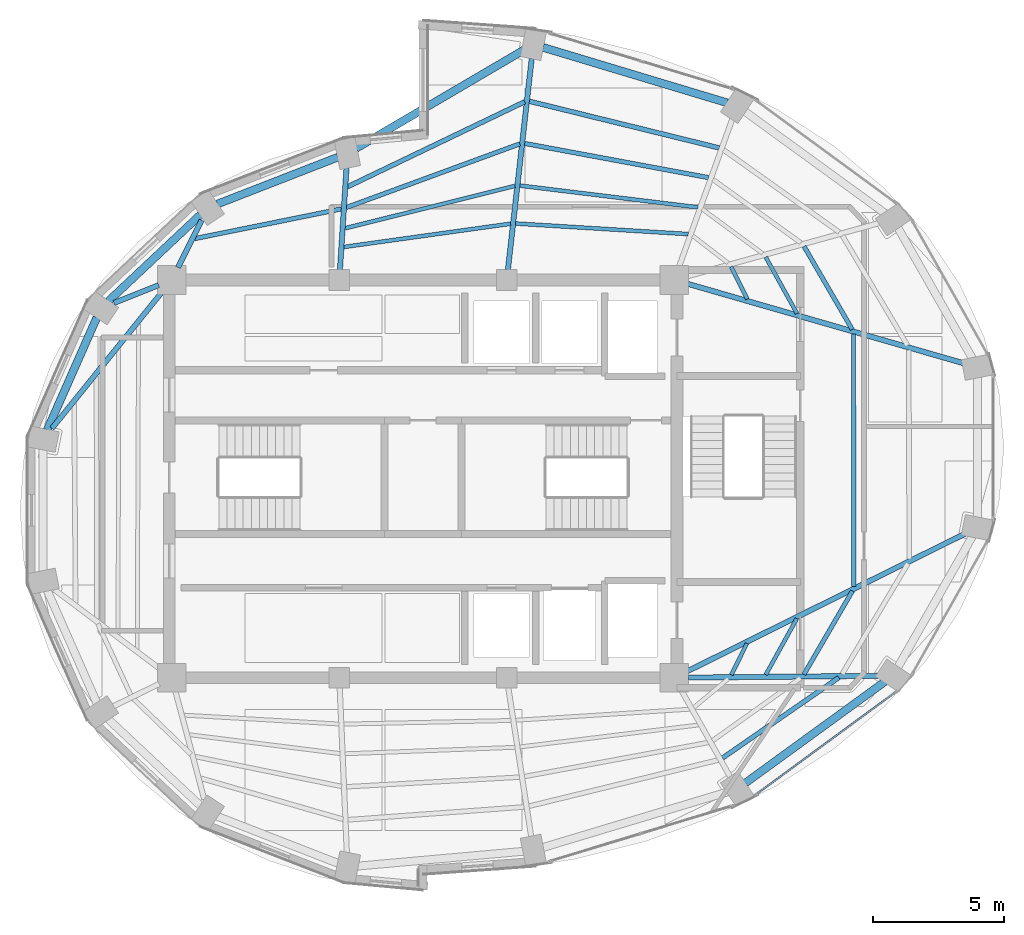
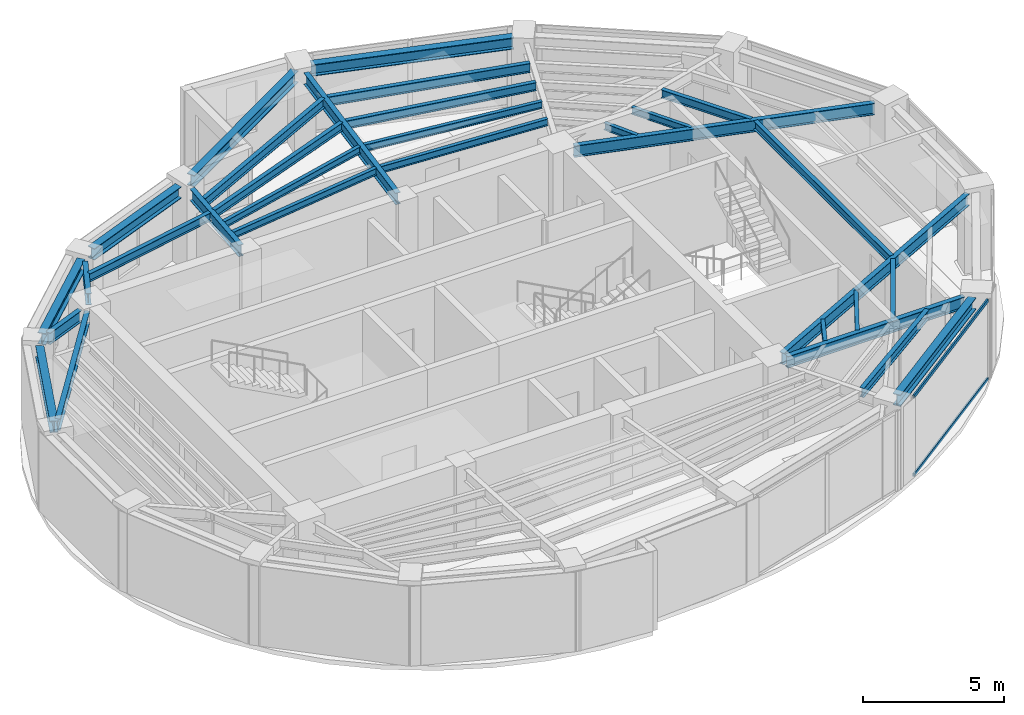
# One storey, part 3 of 12: 31 beams, 2 members, 1 element without a shape of its own.
"""IFC4 building model written with IfcOpenShell, lengths in metres."""

from ifc_helpers import new_model, si_unit, direction, frame, origin, origin_2d, place, context, subcontext, project, spatial, hollow_rectangle, i_section, extrude, material, layer, layer_set, material_profile, profile_set, type_object, element, aggregate, save


model = new_model("IFC4")

# Units and contexts
model_context = context("Model", 3, precision=1e-05, world=origin(), true_north=direction((0.0, 1.0)))
body_context = subcontext(model_context, "Body", "Model", "MODEL_VIEW")
ifc_project = project(units=[si_unit("LENGTHUNIT", "METRE"), si_unit("AREAUNIT", "SQUARE_METRE"), si_unit("VOLUMEUNIT", "CUBIC_METRE"), si_unit("PLANEANGLEUNIT", "RADIAN"), si_unit("MASSUNIT", "GRAM", prefix="KILO")], contexts=[model_context])

# Site, building, storey
site_placement = place(None, origin())
site = spatial("IfcSite", under=ifc_project, at=site_placement, CompositionType="ELEMENT")
building_placement = place(site_placement, origin())
building = spatial("IfcBuilding", under=site, at=building_placement, Name="Lazwardi Medical Tower", CompositionType="ELEMENT")
storey_placement = place(building_placement, frame((0.0, 0.0, 287.85595703125)))
storey = spatial("IfcBuildingStorey", under=building, at=storey_placement, Name="L75", CompositionType="ELEMENT", Elevation=287.85595703125)

# Beams
ifc_material_1 = material(Name="Steel S355", Category="steel")
ifc_material_profile_1 = material_profile(ifc_material_1, i_section(OverallWidth=0.300048828125, OverallDepth=0.5, WebThickness=0.014404296875, FlangeThickness=0.028076171875, at=origin_2d()), Name="HEB 500")
ifc_profile_set_1 = profile_set([ifc_material_profile_1], Name="Steel S355")
beam_type_1 = type_object("IfcBeamType", Name="BM-RB-Z4", PredefinedType="BEAM", material=ifc_profile_set_1)
beam_1_placement = place(storey_placement, frame((48.31591796875, 16.375244140625, 3.197998046875), z_axis=(0.808889916254, 0.587960120571, 0.0), x_axis=(-0.587960120571, 0.808889916254, 0.0)))
element("IfcBeam", 1, at=beam_1_placement, inside=storey, type_object=beam_type_1, Name="Ring beam RB-05 B02 L75", PredefinedType="BEAM", context=body_context, shape_type="SweptSolid", body=[
    extrude(i_section(OverallWidth=0.300048828125, OverallDepth=0.5, WebThickness=0.014404296875, FlangeThickness=0.028076171875, at=origin_2d()), origin(), (0.0, 0.0, 1.0), 6.587158203125),
])
beam_2_placement = place(storey_placement, frame((47.626953125, 42.366455078125, 3.197998046875), z_axis=(-0.957544311906, 0.288286126506, 0.0), x_axis=(-0.288286126506, -0.957544311906, 0.0)))
element("IfcBeam", 2, at=beam_2_placement, inside=storey, type_object=beam_type_1, Name="Ring beam RB-05 B07 L75", PredefinedType="BEAM", context=body_context, shape_type="SweptSolid", body=[
    extrude(i_section(OverallWidth=0.300048828125, OverallDepth=0.5, WebThickness=0.014404296875, FlangeThickness=0.028076171875, at=origin_2d()), origin(), (0.0, 0.0, 1.0), 7.3515625),
])
beam_3_placement = place(storey_placement, frame((39.877685546875, 44.40087890625, 3.197998046875), z_axis=(-0.862560933033, -0.505953196259, 0.0), x_axis=(0.505953196259, -0.862560933033, 0.0)))
element("IfcBeam", 3, at=beam_3_placement, inside=storey, type_object=beam_type_1, Name="Ring beam RB-05 B08 L75", PredefinedType="BEAM", context=body_context, shape_type="SweptSolid", body=[
    extrude(i_section(OverallWidth=0.300048828125, OverallDepth=0.5, WebThickness=0.014404296875, FlangeThickness=0.028076171875, at=origin_2d()), origin(), (0.0, 0.0, 1.0), 7.452880859375),
])
beam_4_placement = place(storey_placement, frame((32.749267578125, 40.29150390625, 3.197998046875), z_axis=(-0.931959260109, -0.362563011761, 0.0), x_axis=(0.362563011761, -0.931959260109, 0.0)))
element("IfcBeam", 4, at=beam_4_placement, inside=storey, type_object=beam_type_1, Name="Ring beam RB-05 B09 L75", PredefinedType="BEAM", context=body_context, shape_type="SweptSolid", body=[
    extrude(i_section(OverallWidth=0.300048828125, OverallDepth=0.5, WebThickness=0.014404296875, FlangeThickness=0.028076171875, at=origin_2d()), origin(), (0.0, 0.0, 1.0), 4.944580078125),
])
beam_5_placement = place(storey_placement, frame((27.493408203125, 38.09033203125, 3.197998046875), z_axis=(-0.728935349177, -0.684582541934, 0.0), x_axis=(0.684582541934, -0.728935349177, 0.0)))
element("IfcBeam", 5, at=beam_5_placement, inside=storey, type_object=beam_type_1, Name="Ring beam RB-05 B10 L75", PredefinedType="BEAM", context=body_context, shape_type="SweptSolid", body=[
    extrude(i_section(OverallWidth=0.300048828125, OverallDepth=0.5, WebThickness=0.014404296875, FlangeThickness=0.028076171875, at=origin_2d()), origin(), (0.0, 0.0, 1.0), 4.822021484375),
])
beam_6_placement = place(storey_placement, frame((23.536865234375, 34.16552734375, 3.197998046875), z_axis=(-0.403522451548, -0.914969743268, 0.0), x_axis=(0.914969743268, -0.403522451548, 0.0)))
element("IfcBeam", 6, at=beam_6_placement, inside=storey, type_object=beam_type_1, Name="Ring beam RB-05 B11 L75", PredefinedType="BEAM", context=body_context, shape_type="SweptSolid", body=[
    extrude(i_section(OverallWidth=0.300048828125, OverallDepth=0.5, WebThickness=0.014404296875, FlangeThickness=0.028076171875, at=origin_2d()), origin(), (0.0, 0.0, 1.0), 4.6962890625),
])
ifc_material_profile_2 = material_profile(ifc_material_1, i_section(OverallWidth=0.199951171875, OverallDepth=0.5, WebThickness=0.01025390625, FlangeThickness=0.01611328125, at=origin_2d()), Name="IPE 500")
ifc_profile_set_2 = profile_set([ifc_material_profile_2], Name="Steel S355")
beam_type_2 = type_object("IfcBeamType", Name="BM-RG-W3", PredefinedType="BEAM", material=ifc_profile_set_2)
beam_7_placement = place(storey_placement, frame((53.4248046875, 20.472412109375, 3.197998046875), z_axis=(-0.999957282107, -0.009243049327, 0.0), x_axis=(0.009243049327, -0.999957282107, 0.0)))
element("IfcBeam", 7, at=beam_7_placement, inside=storey, type_object=beam_type_2, Name="Radial girder RG-04 R03 L75", PredefinedType="BEAM", context=body_context, shape_type="SweptSolid", body=[
    extrude(i_section(OverallWidth=0.199951171875, OverallDepth=0.5, WebThickness=0.01025390625, FlangeThickness=0.01611328125, at=origin_2d()), origin(), (0.0, 0.0, 1.0), 7.2900390625),
])
beam_8_placement = place(storey_placement, frame((56.70556640625, 25.899658203125, 3.197998046875), z_axis=(-0.896137723356, -0.443776048, 0.0), x_axis=(0.443776048, -0.896137723356, 0.0)))
element("IfcBeam", 8, at=beam_8_placement, inside=storey, type_object=beam_type_2, Name="Radial girder RG-04 R04 L75", PredefinedType="BEAM", context=body_context, shape_type="SweptSolid", body=[
    extrude(i_section(OverallWidth=0.199951171875, OverallDepth=0.5, WebThickness=0.01025390625, FlangeThickness=0.01611328125, at=origin_2d()), origin(), (0.0, 0.0, 1.0), 11.85791015625),
])
beam_9_placement = place(storey_placement, frame((56.6708984375, 32.410888671875, 3.197998046875), z_axis=(-0.960926292206, 0.276804373065, 0.0), x_axis=(-0.276804373065, -0.960926292206, 0.0)))
element("IfcBeam", 9, at=beam_9_placement, inside=storey, type_object=beam_type_2, Name="Radial girder RG-04 R05 L75", PredefinedType="BEAM", context=body_context, shape_type="SweptSolid", body=[
    extrude(i_section(OverallWidth=0.199951171875, OverallDepth=0.5, WebThickness=0.01025390625, FlangeThickness=0.01611328125, at=origin_2d()), origin(), (0.0, 0.0, 1.0), 10.986083984375),
])
beam_10_placement = place(storey_placement, frame((40.154052734375, 44.066650390625, 3.197998046875), z_axis=(-0.11196962105, -0.993711630183, 0.0), x_axis=(0.993711630183, -0.11196962105, 0.0)))
element("IfcBeam", 10, at=beam_10_placement, inside=storey, type_object=beam_type_2, Name="Radial girder RG-04 R08 L75", PredefinedType="BEAM", context=body_context, shape_type="SweptSolid", body=[
    extrude(i_section(OverallWidth=0.199951171875, OverallDepth=0.5, WebThickness=0.01025390625, FlangeThickness=0.01611328125, at=origin_2d()), origin(), (0.0, 0.0, 1.0), 8.13525390625),
])
beam_11_placement = place(storey_placement, frame((33.078125, 39.89892578125, 3.197998046875), z_axis=(-0.064536216654, -0.99791536552, 0.0), x_axis=(0.99791536552, -0.064536216654, 0.0)))
element("IfcBeam", 11, at=beam_11_placement, inside=storey, type_object=beam_type_2, Name="Radial girder RG-04 R09 L75", PredefinedType="BEAM", context=body_context, shape_type="SweptSolid", body=[
    extrude(i_section(OverallWidth=0.199951171875, OverallDepth=0.5, WebThickness=0.01025390625, FlangeThickness=0.01611328125, at=origin_2d()), origin(), (0.0, 0.0, 1.0), 3.9228515625),
])
beam_12_placement = place(storey_placement, frame((27.53857421875, 37.87890625, 3.197998046875), z_axis=(-0.446922417137, -0.894572720946, 0.0), x_axis=(0.894572720946, -0.446922417137, 0.0)))
element("IfcBeam", 12, at=beam_12_placement, inside=storey, type_object=beam_type_2, Name="Radial girder RG-04 R10 L75", PredefinedType="BEAM", context=body_context, shape_type="SweptSolid", body=[
    extrude(i_section(OverallWidth=0.199951171875, OverallDepth=0.5, WebThickness=0.01025390625, FlangeThickness=0.01611328125, at=origin_2d()), origin(), (0.0, 0.0, 1.0), 2.012451171875),
])
beam_13_placement = place(storey_placement, frame((24.191162109375, 34.72021484375, 3.197998046875), z_axis=(0.929014807026, 0.370042549347, 0.0), x_axis=(-0.370042549347, 0.929014807026, 0.0)))
element("IfcBeam", 13, at=beam_13_placement, inside=storey, type_object=beam_type_2, Name="Radial girder RG-04 R11 L75", PredefinedType="BEAM", context=body_context, shape_type="SweptSolid", body=[
    extrude(i_section(OverallWidth=0.199951171875, OverallDepth=0.5, WebThickness=0.01025390625, FlangeThickness=0.01611328125, at=origin_2d()), origin(), (0.0, 0.0, 1.0), 1.8427734375),
])
beam_14_placement = place(storey_placement, frame((21.820556640625, 29.927978515625, 3.197998046875), z_axis=(0.62820165026, 0.778050568158, 0.0), x_axis=(-0.778050568158, 0.62820165026, 0.0)))
element("IfcBeam", 14, at=beam_14_placement, inside=storey, type_object=beam_type_2, Name="Radial girder RG-04 R12 L75", PredefinedType="BEAM", context=body_context, shape_type="SweptSolid", body=[
    extrude(i_section(OverallWidth=0.199951171875, OverallDepth=0.5, WebThickness=0.01025390625, FlangeThickness=0.01611328125, at=origin_2d()), origin(), (0.0, 0.0, 1.0), 6.7548828125),
])
ifc_material_profile_3 = material_profile(ifc_material_1, i_section(OverallWidth=0.179931640625, OverallDepth=0.39990234375, WebThickness=0.008544921875, FlangeThickness=0.013427734375, at=origin_2d()), Name="IPE 400")
ifc_profile_set_3 = profile_set([ifc_material_profile_3], Name="Steel S355")
beam_type_3 = type_object("IfcBeamType", Name="BM-SJ-01", PredefinedType="JOIST", material=ifc_profile_set_3)
beam_15_placement = place(storey_placement, frame((47.440673828125, 17.330322265625, 3.248046875), z_axis=(0.822596712765, 0.568625226443, 0.0), x_axis=(-0.568625226443, 0.822596712765, 0.0)))
element("IfcBeam", 15, at=beam_15_placement, inside=storey, type_object=beam_type_3, Name="Secondary joist SJ-01 R1 B02 L75", PredefinedType="JOIST", context=body_context, shape_type="SweptSolid", body=[
    extrude(i_section(OverallWidth=0.179931640625, OverallDepth=0.39990234375, WebThickness=0.008544921875, FlangeThickness=0.013427734375, at=origin_2d()), origin(), (0.0, 0.0, 1.0), 5.4072265625),
])
beam_16_placement = place(storey_placement, frame((47.319091796875, 40.64404296875, 3.248046875), z_axis=(-0.971096035988, 0.23868910509, 0.0), x_axis=(-0.23868910509, -0.971096035988, 0.0)))
element("IfcBeam", 16, at=beam_16_placement, inside=storey, type_object=beam_type_3, Name="Secondary joist SJ-01 R1 B07 L75", PredefinedType="JOIST", context=body_context, shape_type="SweptSolid", body=[
    extrude(i_section(OverallWidth=0.179931640625, OverallDepth=0.39990234375, WebThickness=0.008544921875, FlangeThickness=0.013427734375, at=origin_2d()), origin(), (0.0, 0.0, 1.0), 7.470703125),
])
beam_17_placement = place(storey_placement, frame((39.88623046875, 42.40869140625, 3.248046875), z_axis=(-0.901499730142, -0.432779662823, 0.0), x_axis=(0.432779662823, -0.901499730142, 0.0)))
element("IfcBeam", 17, at=beam_17_placement, inside=storey, type_object=beam_type_3, Name="Secondary joist SJ-01 R1 B08 L75", PredefinedType="JOIST", context=body_context, shape_type="SweptSolid", body=[
    extrude(i_section(OverallWidth=0.179931640625, OverallDepth=0.39990234375, WebThickness=0.008544921875, FlangeThickness=0.013427734375, at=origin_2d()), origin(), (0.0, 0.0, 1.0), 7.512939453125),
])
ifc_material_profile_4 = material_profile(ifc_material_1, i_section(OverallWidth=0.169921875, OverallDepth=0.360107421875, WebThickness=0.008056640625, FlangeThickness=0.0126953125, at=origin_2d()), Name="IPE 360")
ifc_profile_set_4 = profile_set([ifc_material_profile_4], Name="Steel S355")
beam_type_4 = type_object("IfcBeamType", Name="BM-SJ-02", PredefinedType="JOIST", material=ifc_profile_set_4)
beam_18_placement = place(storey_placement, frame((50.556640625, 20.527587890625, 3.26806640625), z_axis=(0.502428077017, 0.864619007092, 0.0), x_axis=(-0.864619007092, 0.502428077017, 0.0)))
element("IfcBeam", 18, at=beam_18_placement, inside=storey, type_object=beam_type_4, Name="Secondary joist SJ-02 R2 B03 L75", PredefinedType="JOIST", context=body_context, shape_type="SweptSolid", body=[
    extrude(i_section(OverallWidth=0.169921875, OverallDepth=0.360107421875, WebThickness=0.008056640625, FlangeThickness=0.0126953125, at=origin_2d()), origin(), (0.0, 0.0, 1.0), 3.683837890625),
])
beam_19_placement = place(storey_placement, frame((52.455078125, 23.889892578125, 3.26806640625), z_axis=(-0.000708932372, 0.999999748707, 0.0), x_axis=(-0.999999748707, -0.000708932372, 0.0)))
element("IfcBeam", 19, at=beam_19_placement, inside=storey, type_object=beam_type_4, Name="Secondary joist SJ-02 R2 B04 L75", PredefinedType="JOIST", context=body_context, shape_type="SweptSolid", body=[
    extrude(i_section(OverallWidth=0.169921875, OverallDepth=0.360107421875, WebThickness=0.008056640625, FlangeThickness=0.0126953125, at=origin_2d()), origin(), (0.0, 0.0, 1.0), 9.642578125),
])
beam_20_placement = place(storey_placement, frame((52.400390625, 33.70947265625, 3.26806640625), z_axis=(-0.501626451559, 0.865084332939, 0.0), x_axis=(-0.865084332939, -0.501626451559, 0.0)))
element("IfcBeam", 20, at=beam_20_placement, inside=storey, type_object=beam_type_4, Name="Secondary joist SJ-02 R2 B05 L75", PredefinedType="JOIST", context=body_context, shape_type="SweptSolid", body=[
    extrude(i_section(OverallWidth=0.169921875, OverallDepth=0.360107421875, WebThickness=0.008056640625, FlangeThickness=0.0126953125, at=origin_2d()), origin(), (0.0, 0.0, 1.0), 3.668212890625),
])
beam_21_placement = place(storey_placement, frame((46.910400390625, 39.50927734375, 3.26806640625), z_axis=(-0.98315560802, 0.182770485635, 0.0), x_axis=(-0.182770485635, -0.98315560802, 0.0)))
element("IfcBeam", 21, at=beam_21_placement, inside=storey, type_object=beam_type_4, Name="Secondary joist SJ-02 R2 B07 L75", PredefinedType="JOIST", context=body_context, shape_type="SweptSolid", body=[
    extrude(i_section(OverallWidth=0.169921875, OverallDepth=0.360107421875, WebThickness=0.008056640625, FlangeThickness=0.0126953125, at=origin_2d()), origin(), (0.0, 0.0, 1.0), 7.147705078125),
])
beam_22_placement = place(storey_placement, frame((39.700439453125, 40.80029296875, 3.26806640625), z_axis=(-0.938784720842, -0.34450435108, 0.0), x_axis=(0.34450435108, -0.938784720842, 0.0)))
element("IfcBeam", 22, at=beam_22_placement, inside=storey, type_object=beam_type_4, Name="Secondary joist SJ-02 R2 B08 L75", PredefinedType="JOIST", context=body_context, shape_type="SweptSolid", body=[
    extrude(i_section(OverallWidth=0.169921875, OverallDepth=0.360107421875, WebThickness=0.008056640625, FlangeThickness=0.0126953125, at=origin_2d()), origin(), (0.0, 0.0, 1.0), 7.06689453125),
])
beam_23_placement = place(storey_placement, frame((32.8837890625, 38.314208984375, 3.26806640625), z_axis=(-0.980097246244, -0.198517978793, 0.0), x_axis=(0.198517978793, -0.980097246244, 0.0)))
element("IfcBeam", 23, at=beam_23_placement, inside=storey, type_object=beam_type_4, Name="Secondary joist SJ-02 R2 B09 L75", PredefinedType="JOIST", context=body_context, shape_type="SweptSolid", body=[
    extrude(i_section(OverallWidth=0.169921875, OverallDepth=0.360107421875, WebThickness=0.008056640625, FlangeThickness=0.0126953125, at=origin_2d()), origin(), (0.0, 0.0, 1.0), 5.72607421875),
])
ifc_material_profile_5 = material_profile(ifc_material_1, i_section(OverallWidth=0.14990234375, OverallDepth=0.300048828125, WebThickness=0.007080078125, FlangeThickness=0.0107421875, at=origin_2d()), Name="IPE 300")
ifc_profile_set_5 = profile_set([ifc_material_profile_5], Name="Steel S355")
beam_type_5 = type_object("IfcBeamType", Name="BM-SJ-03", PredefinedType="JOIST", material=ifc_profile_set_5)
beam_24_placement = place(storey_placement, frame((49.096923828125, 20.51513671875, 3.298095703125), z_axis=(0.484356732643, 0.874870593598, 0.0), x_axis=(-0.874870593598, 0.484356732643, 0.0)))
element("IfcBeam", 24, at=beam_24_placement, inside=storey, type_object=beam_type_5, Name="Secondary joist SJ-03 R3 B03 L75", PredefinedType="JOIST", context=body_context, shape_type="SweptSolid", body=[
    extrude(i_section(OverallWidth=0.14990234375, OverallDepth=0.300048828125, WebThickness=0.007080078125, FlangeThickness=0.0107421875, at=origin_2d()), origin(), (0.0, 0.0, 1.0), 2.45068359375),
])
beam_25_placement = place(storey_placement, frame((50.290771484375, 34.318603515625, 3.298095703125), z_axis=(-0.485634526525, 0.874161945321, 0.0), x_axis=(-0.874161945321, -0.485634526525, 0.0)))
element("IfcBeam", 25, at=beam_25_placement, inside=storey, type_object=beam_type_5, Name="Secondary joist SJ-03 R3 B05 L75", PredefinedType="JOIST", context=body_context, shape_type="SweptSolid", body=[
    extrude(i_section(OverallWidth=0.14990234375, OverallDepth=0.300048828125, WebThickness=0.007080078125, FlangeThickness=0.0107421875, at=origin_2d()), origin(), (0.0, 0.0, 1.0), 2.46630859375),
])
beam_26_placement = place(storey_placement, frame((46.502197265625, 38.373779296875, 3.298095703125), z_axis=(-0.992619429406, 0.121271053287, 0.0), x_axis=(-0.121271053287, -0.992619429406, 0.0)))
element("IfcBeam", 26, at=beam_26_placement, inside=storey, type_object=beam_type_5, Name="Secondary joist SJ-03 R3 B07 L75", PredefinedType="JOIST", context=body_context, shape_type="SweptSolid", body=[
    extrude(i_section(OverallWidth=0.14990234375, OverallDepth=0.300048828125, WebThickness=0.007080078125, FlangeThickness=0.0107421875, at=origin_2d()), origin(), (0.0, 0.0, 1.0), 6.850830078125),
])
beam_27_placement = place(storey_placement, frame((39.515380859375, 39.193359375, 3.298095703125), z_axis=(-0.970279606817, -0.241986538045, 0.0), x_axis=(0.241986538045, -0.970279606817, 0.0)))
element("IfcBeam", 27, at=beam_27_placement, inside=storey, type_object=beam_type_5, Name="Secondary joist SJ-03 R3 B08 L75", PredefinedType="JOIST", context=body_context, shape_type="SweptSolid", body=[
    extrude(i_section(OverallWidth=0.14990234375, OverallDepth=0.300048828125, WebThickness=0.007080078125, FlangeThickness=0.0107421875, at=origin_2d()), origin(), (0.0, 0.0, 1.0), 6.696044921875),
])
beam_28_placement = place(storey_placement, frame((47.78076171875, 20.5048828125, 3.298095703125), z_axis=(0.442264453687, 0.896884693261, 0.0), x_axis=(-0.896884693261, 0.442264453687, 0.0)))
element("IfcBeam", 28, at=beam_28_placement, inside=storey, type_object=beam_type_5, Name="Secondary joist SJ-03 R4 B03 L75", PredefinedType="JOIST", context=body_context, shape_type="SweptSolid", body=[
    extrude(i_section(OverallWidth=0.14990234375, OverallDepth=0.300048828125, WebThickness=0.007080078125, FlangeThickness=0.0107421875, at=origin_2d()), origin(), (0.0, 0.0, 1.0), 1.343505859375),
])
beam_29_placement = place(storey_placement, frame((48.393798828125, 34.867919921875, 3.298095703125), z_axis=(-0.449607078784, 0.893226440891, 0.0), x_axis=(-0.893226440891, -0.449607078784, 0.0)))
element("IfcBeam", 29, at=beam_29_placement, inside=storey, type_object=beam_type_5, Name="Secondary joist SJ-03 R4 B05 L75", PredefinedType="JOIST", context=body_context, shape_type="SweptSolid", body=[
    extrude(i_section(OverallWidth=0.14990234375, OverallDepth=0.300048828125, WebThickness=0.007080078125, FlangeThickness=0.0107421875, at=origin_2d()), origin(), (0.0, 0.0, 1.0), 1.38623046875),
])
beam_30_placement = place(storey_placement, frame((46.135009765625, 37.3515625, 3.298095703125), z_axis=(-0.998131677286, 0.061099548269, 0.0), x_axis=(-0.061099548269, -0.998131677286, 0.0)))
element("IfcBeam", 30, at=beam_30_placement, inside=storey, type_object=beam_type_5, Name="Secondary joist SJ-03 R4 B07 L75", PredefinedType="JOIST", context=body_context, shape_type="SweptSolid", body=[
    extrude(i_section(OverallWidth=0.14990234375, OverallDepth=0.300048828125, WebThickness=0.007080078125, FlangeThickness=0.0107421875, at=origin_2d()), origin(), (0.0, 0.0, 1.0), 6.609130859375),
])
beam_31_placement = place(storey_placement, frame((39.349365234375, 37.748046875, 3.298095703125), z_axis=(-0.990406947737, -0.138181322454, 0.0), x_axis=(0.138181322454, -0.990406947737, 0.0)))
element("IfcBeam", 31, at=beam_31_placement, inside=storey, type_object=beam_type_5, Name="Secondary joist SJ-03 R4 B08 L75", PredefinedType="JOIST", context=body_context, shape_type="SweptSolid", body=[
    extrude(i_section(OverallWidth=0.14990234375, OverallDepth=0.300048828125, WebThickness=0.007080078125, FlangeThickness=0.0107421875, at=origin_2d()), origin(), (0.0, 0.0, 1.0), 6.4365234375),
])

# Curtain wall, members
ifc_material_2 = material(Name="Anodised bronze aluminium and solar control glazing", Category="aluminium")
ifc_layer = layer(ifc_material_2, 0.18994140625)
ifc_layer_set = layer_set([ifc_layer], Name="Anodised bronze aluminium and solar control glazing")
curtain_wall_type = type_object("IfcCurtainWallType", Name="CW-SYS-04", PredefinedType="NOTDEFINED", material=ifc_layer_set)
curtain_wall_placement = place(storey_placement, origin())
curtain_wall = element("IfcCurtainWall", 32, at=curtain_wall_placement, inside=storey, type_object=curtain_wall_type, Name="L75 Unitised bronze curtain wall CW-04", PredefinedType="NOTDEFINED")
ifc_material_3 = material(Name="Anodised bronze aluminium", Category="aluminium")
ifc_material_profile_6 = material_profile(ifc_material_3, hollow_rectangle(XDim=0.06494140625, YDim=0.139892578125, WallThickness=0.00341796875, at=origin_2d()), Name="ALU-TRANSOM 140x65x3.5")
ifc_profile_set_6 = profile_set([ifc_material_profile_6], Name="Anodised bronze aluminium")
member_type = type_object("IfcMemberType", Name="CW-TRN-03", PredefinedType="USERDEFINED", material=ifc_profile_set_6)
member_1_placement = place(storey_placement, frame((48.781494140625, 15.984375, 0.032470703125), z_axis=(0.80648973359, 0.591248094808, 0.0), x_axis=(-0.591248094808, 0.80648973359, 0.0)))
member_1 = element("IfcMember", 33, at=member_1_placement, type_object=member_type, Name="CW-04 transom 1.1", ObjectType="TRANSOM", PredefinedType="USERDEFINED", context=body_context, shape_type="SweptSolid", body=[
    extrude(hollow_rectangle(XDim=0.06494140625, YDim=0.139892578125, WallThickness=0.00341796875, at=origin_2d()), origin(), (0.0, 0.0, 1.0), 6.502685546875),
])
member_2_placement = place(storey_placement, frame((48.781494140625, 15.984375, 3.41552734375), z_axis=(0.80648973359, 0.591248094808, 0.0), x_axis=(-0.591248094808, 0.80648973359, 0.0)))
member_2 = element("IfcMember", 34, at=member_2_placement, type_object=member_type, Name="CW-04 transom 1.2", ObjectType="TRANSOM", PredefinedType="USERDEFINED", context=body_context, shape_type="SweptSolid", body=[
    extrude(hollow_rectangle(XDim=0.06494140625, YDim=0.139892578125, WallThickness=0.00341796875, at=origin_2d()), origin(), (0.0, 0.0, 1.0), 6.502685546875),
])
aggregate(curtain_wall, [member_1, member_2])

save(model, "model.ifc")
